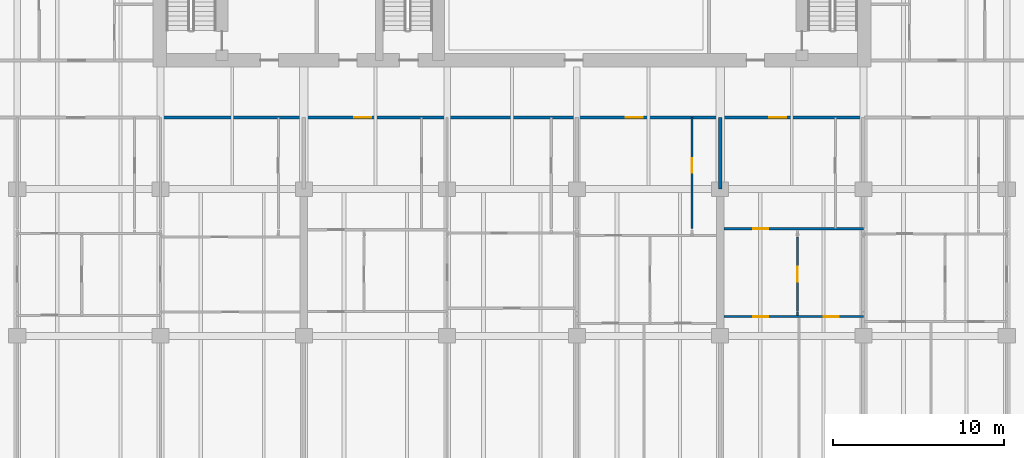
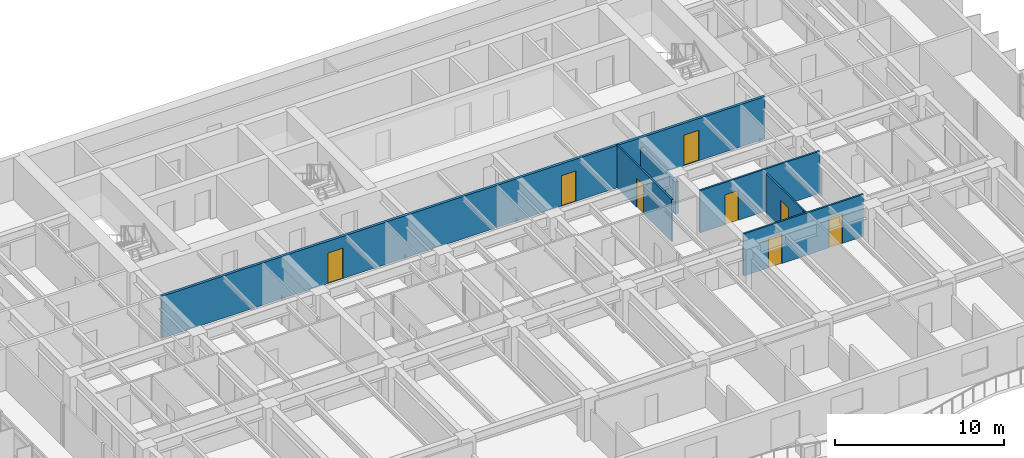
# One storey, part 10 of 19: 8 doors, 7 walls, 8 openings.
"""IFC4 building model written with IfcOpenShell, lengths in metres."""

from ifc_helpers import new_model, si_unit, direction, frame, frame_2d, origin, place, context, subcontext, project, spatial, rectangle, extrude, material, layer, layer_set, type_object, element, fill, save


model = new_model("IFC4")

# Units and contexts
model_context = context("Model", 3, precision=1e-05, world=origin(), true_north=direction((0.0, 1.0)))
body_context = subcontext(model_context, "Body", "Model", "MODEL_VIEW")
ifc_project = project(units=[si_unit("LENGTHUNIT", "METRE"), si_unit("AREAUNIT", "SQUARE_METRE"), si_unit("VOLUMEUNIT", "CUBIC_METRE"), si_unit("PLANEANGLEUNIT", "RADIAN"), si_unit("MASSUNIT", "GRAM", prefix="KILO")], contexts=[model_context])

# Site, building, storey
site_placement = place(None, origin())
site = spatial("IfcSite", under=ifc_project, at=site_placement, CompositionType="ELEMENT")
building_placement = place(site_placement, origin())
building = spatial("IfcBuilding", under=site, at=building_placement, Name="Caelmar Bay Residences", CompositionType="ELEMENT")
storey_placement = place(building_placement, frame((0.0, 0.0, 112.5)))
storey = spatial("IfcBuildingStorey", under=building, at=storey_placement, Name="L30", CompositionType="ELEMENT", Elevation=112.5)

# Wall, openings, doors
ifc_material_1 = material(Name="Double-stud acoustic fire-rated gypsum partition 180 mm")
ifc_layer_1 = layer(ifc_material_1, 0.179931640625)
ifc_layer_set_1 = layer_set([ifc_layer_1], Name="Double-stud acoustic fire-rated gypsum partition 180 mm")
wall_type_1 = type_object("IfcWallType", Name="W-COR-200", PredefinedType="PARTITIONING", material=ifc_layer_set_1)
wall_1_placement = place(storey_placement, frame((18.300048828125, 33.60009765625, 0.0), z_axis=(0.0, 0.0, 1.0), x_axis=(1.0, 0.0, 0.0)))
wall_1 = element("IfcWall", 1, at=wall_1_placement, inside=storey, type_object=wall_type_1, Name="L30 Partition Wall H141", PredefinedType="PARTITIONING", context=body_context, shape_type="SweptSolid", body=[
    extrude(rectangle(XDim=41.199951171875, YDim=0.179931640625, at=frame_2d((20.60009765625, 0.0))), origin(), (0.0, 0.0, 1.0), 3.050048828125),
])
opening_1_placement = place(wall_1_placement, frame((11.35009765625, 0.0, 0.0)))
opening_1 = element("IfcOpeningElement", 2, at=opening_1_placement, cuts=wall_1, Name="Opening D-L30-130", PredefinedType="OPENING", context=body_context, shape_type="SweptSolid", body=[
    extrude(rectangle(XDim=1.0, YDim=2.199951171875, at=frame_2d((0.5, 1.10009765625))), frame((0.0, 0.099853515625, 0.0), z_axis=(0.0, -1.0, 0.0), x_axis=(1.0, 0.0, 0.0)), (0.0, 0.0, 1.0), 0.199951171875),
])
opening_2_placement = place(wall_1_placement, frame((27.27490234375, 0.0, 0.0)))
opening_2 = element("IfcOpeningElement", 3, at=opening_2_placement, cuts=wall_1, Name="Opening D-L30-140", PredefinedType="OPENING", context=body_context, shape_type="SweptSolid", body=[
    extrude(rectangle(XDim=1.0, YDim=2.199951171875, at=frame_2d((0.5, 1.10009765625))), frame((0.0, 0.099853515625, 0.0), z_axis=(0.0, -1.0, 0.0), x_axis=(1.0, 0.0, 0.0)), (0.0, 0.0, 1.0), 0.199951171875),
])
opening_3_placement = place(wall_1_placement, frame((35.675048828125, 0.0, 0.0)))
opening_3 = element("IfcOpeningElement", 4, at=opening_3_placement, cuts=wall_1, Name="Opening D-L30-147", PredefinedType="OPENING", context=body_context, shape_type="SweptSolid", body=[
    extrude(rectangle(XDim=1.0, YDim=2.199951171875, at=frame_2d((0.5, 1.10009765625))), frame((0.0, 0.099853515625, 0.0), z_axis=(0.0, -1.0, 0.0), x_axis=(1.0, 0.0, 0.0)), (0.0, 0.0, 1.0), 0.199951171875),
])
ifc_material_2 = material(Name="Fire-rated steel and walnut architectural door assembly", Category="steel")
ifc_layer_2 = layer(ifc_material_2, 0.050048828125)
ifc_layer_set_2 = layer_set([ifc_layer_2], Name="Fire-rated steel and walnut architectural door assembly")
door_type_1 = type_object("IfcDoorType", Name="D-UNIT-1000", OperationType="NOTDEFINED", PredefinedType="DOOR", material=ifc_layer_set_2)
door_1_placement = place(opening_1_placement, origin())
door_1 = element("IfcDoor", 5, at=door_1_placement, inside=storey, type_object=door_type_1, Name="L30 Residence 02 Apartment Hall Door", OperationType="SINGLE_SWING_RIGHT", OverallHeight=2.199951171875, OverallWidth=1.0, PredefinedType="DOOR", context=body_context, shape_type="SweptSolid", body=[
    extrude(rectangle(XDim=1.0, YDim=2.199951171875, at=frame_2d((0.5, 1.10009765625))), frame((0.0, 0.02490234375, 0.0), z_axis=(0.0, -1.0, 0.0), x_axis=(1.0, 0.0, 0.0)), (0.0, 0.0, 1.0), 0.050048828125),
])
fill(opening_1, door_1)
door_2_placement = place(opening_2_placement, origin())
door_2 = element("IfcDoor", 6, at=door_2_placement, inside=storey, type_object=door_type_1, Name="L30 Residence 03 Apartment Hall Door", OperationType="SINGLE_SWING_RIGHT", OverallHeight=2.199951171875, OverallWidth=1.0, PredefinedType="DOOR", context=body_context, shape_type="SweptSolid", body=[
    extrude(rectangle(XDim=1.0, YDim=2.199951171875, at=frame_2d((0.5, 1.10009765625))), frame((0.0, 0.02490234375, 0.0), z_axis=(0.0, -1.0, 0.0), x_axis=(1.0, 0.0, 0.0)), (0.0, 0.0, 1.0), 0.050048828125),
])
fill(opening_2, door_2)
door_3_placement = place(opening_3_placement, origin())
door_3 = element("IfcDoor", 7, at=door_3_placement, inside=storey, type_object=door_type_1, Name="L30 Residence 04 Apartment Hall Door", OperationType="SINGLE_SWING_LEFT", OverallHeight=2.199951171875, OverallWidth=1.0, PredefinedType="DOOR", context=body_context, shape_type="SweptSolid", body=[
    extrude(rectangle(XDim=1.0, YDim=2.199951171875, at=frame_2d((0.5, 1.10009765625))), frame((0.0, 0.02490234375, 0.0), z_axis=(0.0, -1.0, 0.0), x_axis=(1.0, 0.0, 0.0)), (0.0, 0.0, 1.0), 0.050048828125),
])
fill(opening_3, door_3)

# Wall, opening, door
ifc_material_3 = material(Name="Acoustic metal-stud gypsum partition 120 mm")
ifc_layer_3 = layer(ifc_material_3, 0.1201171875)
ifc_layer_set_3 = layer_set([ifc_layer_3], Name="Acoustic metal-stud gypsum partition 120 mm")
wall_type_2 = type_object("IfcWallType", Name="W-PRT-120", PredefinedType="PARTITIONING", material=ifc_layer_set_3)
wall_2_placement = place(storey_placement, frame((49.449951171875, 27.080078125, 0.0), z_axis=(0.0, 0.0, 1.0), x_axis=(0.0, 1.0, 0.0)))
wall_2 = element("IfcWall", 8, at=wall_2_placement, inside=storey, type_object=wall_type_2, Name="L30 Partition Wall V072", PredefinedType="PARTITIONING", context=body_context, shape_type="SweptSolid", body=[
    extrude(rectangle(XDim=6.52001953125, YDim=0.1201171875, at=frame_2d((3.260009765625, 0.0))), origin(), (0.0, 0.0, 1.0), 3.050048828125),
])
opening_4_placement = place(wall_2_placement, frame((3.284912109375, 0.0, 0.0)))
opening_4 = element("IfcOpeningElement", 9, at=opening_4_placement, cuts=wall_2, Name="Opening D-L30-141", PredefinedType="OPENING", context=body_context, shape_type="SweptSolid", body=[
    extrude(rectangle(XDim=0.85009765625, YDim=2.10009765625, at=frame_2d((0.425048828125, 1.050048828125))), frame((0.0, 0.070068359375, 0.0), z_axis=(0.0, -1.0, 0.0), x_axis=(1.0, 0.0, 0.0)), (0.0, 0.0, 1.0), 0.14013671875),
])
ifc_material_4 = material(Name="Solid walnut timber interior door leaf and frame", Category="wood")
ifc_layer_4 = layer(ifc_material_4, 0.050048828125)
ifc_layer_set_4 = layer_set([ifc_layer_4], Name="Solid walnut timber interior door leaf and frame")
door_type_2 = type_object("IfcDoorType", Name="D-BATH-850", OperationType="NOTDEFINED", PredefinedType="DOOR", material=ifc_layer_set_4)
door_4_placement = place(opening_4_placement, origin())
door_4 = element("IfcDoor", 10, at=door_4_placement, inside=storey, type_object=door_type_2, Name="L30 Residence 03 Bathroom Door", OperationType="SINGLE_SWING_LEFT", OverallHeight=2.10009765625, OverallWidth=0.85009765625, PredefinedType="DOOR", context=body_context, shape_type="SweptSolid", body=[
    extrude(rectangle(XDim=0.85009765625, YDim=2.10009765625, at=frame_2d((0.425048828125, 1.050048828125))), frame((0.0, 0.02490234375, 0.0), z_axis=(0.0, -1.0, 0.0), x_axis=(1.0, 0.0, 0.0)), (0.0, 0.0, 1.0), 0.050048828125),
])
fill(opening_4, door_4)

# Wall
wall_3_placement = place(storey_placement, frame((55.635986328125, 22.0, 0.0), z_axis=(0.0, 0.0, 1.0), x_axis=(0.0, 1.0, 0.0)))
element("IfcWall", 11, at=wall_3_placement, inside=storey, type_object=wall_type_2, Name="L30 Partition Wall V079", PredefinedType="PARTITIONING", context=body_context, shape_type="SweptSolid", body=[
    extrude(rectangle(XDim=0.199951171875, YDim=0.1201171875, at=frame_2d((0.10009765625, 0.0))), origin(), (0.0, 0.0, 1.0), 3.050048828125),
])

# Wall, opening, door
wall_4_placement = place(storey_placement, frame((55.635986328125, 22.219970703125, 0.0), z_axis=(0.0, 0.0, 1.0), x_axis=(0.0, 1.0, 0.0)))
wall_4 = element("IfcWall", 12, at=wall_4_placement, inside=storey, type_object=wall_type_2, Name="L30 Partition Wall V080", PredefinedType="PARTITIONING", context=body_context, shape_type="SweptSolid", body=[
    extrude(rectangle(XDim=4.380126953125, YDim=0.1201171875, at=frame_2d((2.18994140625, 0.0))), origin(), (0.0, 0.0, 1.0), 3.050048828125),
])
opening_5_placement = place(wall_4_placement, frame((1.739990234375, 0.0, 0.0)))
opening_5 = element("IfcOpeningElement", 13, at=opening_5_placement, cuts=wall_4, Name="Opening D-L30-150", PredefinedType="OPENING", context=body_context, shape_type="SweptSolid", body=[
    extrude(rectangle(XDim=0.89990234375, YDim=2.14990234375, at=frame_2d((0.449951171875, 1.074951171875))), frame((0.0, 0.070068359375, 0.0), z_axis=(0.0, -1.0, 0.0), x_axis=(1.0, 0.0, 0.0)), (0.0, 0.0, 1.0), 0.14013671875),
])
ifc_layer_5 = layer(ifc_material_4, 0.050048828125)
ifc_layer_set_5 = layer_set([ifc_layer_5], Name="Solid walnut timber interior door leaf and frame")
door_type_3 = type_object("IfcDoorType", Name="D-ROOM-900", OperationType="NOTDEFINED", PredefinedType="DOOR", material=ifc_layer_set_5)
door_5_placement = place(opening_5_placement, origin())
door_5 = element("IfcDoor", 14, at=door_5_placement, inside=storey, type_object=door_type_3, Name="L30 Residence 04 Private Meeting Room Door", OperationType="SINGLE_SWING_RIGHT", OverallHeight=2.14990234375, OverallWidth=0.89990234375, PredefinedType="DOOR", context=body_context, shape_type="SweptSolid", body=[
    extrude(rectangle(XDim=0.89990234375, YDim=2.14990234375, at=frame_2d((0.449951171875, 1.074951171875))), frame((0.0, 0.02490234375, 0.0), z_axis=(0.0, -1.0, 0.0), x_axis=(1.0, 0.0, 0.0)), (0.0, 0.0, 1.0), 0.050048828125),
])
fill(opening_5, door_5)

# Wall, openings, doors
wall_5_placement = place(storey_placement, frame((51.320068359375, 21.929931640625, 0.0), z_axis=(0.0, 0.0, 1.0), x_axis=(1.0, 0.0, 0.0)))
wall_5 = element("IfcWall", 15, at=wall_5_placement, inside=storey, type_object=wall_type_2, Name="L30 Partition Wall H127", PredefinedType="PARTITIONING", context=body_context, shape_type="SweptSolid", body=[
    extrude(rectangle(XDim=8.179931640625, YDim=0.1201171875, at=frame_2d((4.08984375, 0.0))), origin(), (0.0, 0.0, 1.0), 3.050048828125),
])
opening_6_placement = place(wall_5_placement, frame((1.7080078125, 0.0, 0.0)))
opening_6 = element("IfcOpeningElement", 16, at=opening_6_placement, cuts=wall_5, Name="Opening D-L30-151", PredefinedType="OPENING", context=body_context, shape_type="SweptSolid", body=[
    extrude(rectangle(XDim=0.89990234375, YDim=2.14990234375, at=frame_2d((0.449951171875, 1.074951171875))), frame((0.0, 0.070068359375, 0.0), z_axis=(0.0, -1.0, 0.0), x_axis=(1.0, 0.0, 0.0)), (0.0, 0.0, 1.0), 0.14013671875),
])
opening_7_placement = place(wall_5_placement, frame((5.840087890625, 0.0, 0.0)))
opening_7 = element("IfcOpeningElement", 17, at=opening_7_placement, cuts=wall_5, Name="Opening D-L30-152", PredefinedType="OPENING", context=body_context, shape_type="SweptSolid", body=[
    extrude(rectangle(XDim=0.89990234375, YDim=2.14990234375, at=frame_2d((0.449951171875, 1.074951171875))), frame((0.0, 0.070068359375, 0.0), z_axis=(0.0, -1.0, 0.0), x_axis=(1.0, 0.0, 0.0)), (0.0, 0.0, 1.0), 0.14013671875),
])
door_6_placement = place(opening_6_placement, origin())
door_6 = element("IfcDoor", 18, at=door_6_placement, inside=storey, type_object=door_type_3, Name="L30 Residence 04 Living Room Door", OperationType="SINGLE_SWING_LEFT", OverallHeight=2.14990234375, OverallWidth=0.89990234375, PredefinedType="DOOR", context=body_context, shape_type="SweptSolid", body=[
    extrude(rectangle(XDim=0.89990234375, YDim=2.14990234375, at=frame_2d((0.449951171875, 1.074951171875))), frame((0.0, 0.02490234375, 0.0), z_axis=(0.0, -1.0, 0.0), x_axis=(1.0, 0.0, 0.0)), (0.0, 0.0, 1.0), 0.050048828125),
])
fill(opening_6, door_6)
door_7_placement = place(opening_7_placement, origin())
door_7 = element("IfcDoor", 19, at=door_7_placement, inside=storey, type_object=door_type_3, Name="L30 Residence 04 Penthouse Sitting Room Door", OperationType="SINGLE_SWING_RIGHT", OverallHeight=2.14990234375, OverallWidth=0.89990234375, PredefinedType="DOOR", context=body_context, shape_type="SweptSolid", body=[
    extrude(rectangle(XDim=0.89990234375, YDim=2.14990234375, at=frame_2d((0.449951171875, 1.074951171875))), frame((0.0, 0.02490234375, 0.0), z_axis=(0.0, -1.0, 0.0), x_axis=(1.0, 0.0, 0.0)), (0.0, 0.0, 1.0), 0.050048828125),
])
fill(opening_7, door_7)

# Wall, opening, door
wall_6_placement = place(storey_placement, frame((51.320068359375, 27.080078125, 0.0), z_axis=(0.0, 0.0, 1.0), x_axis=(1.0, 0.0, 0.0)))
wall_6 = element("IfcWall", 20, at=wall_6_placement, inside=storey, type_object=wall_type_2, Name="L30 Partition Wall H138", PredefinedType="PARTITIONING", context=body_context, shape_type="SweptSolid", body=[
    extrude(rectangle(XDim=8.179931640625, YDim=0.1201171875, at=frame_2d((4.08984375, 0.0))), origin(), (0.0, 0.0, 1.0), 3.050048828125),
])
opening_8_placement = place(wall_6_placement, frame((1.7080078125, 0.0, 0.0)))
opening_8 = element("IfcOpeningElement", 21, at=opening_8_placement, cuts=wall_6, Name="Opening D-L30-149", PredefinedType="OPENING", context=body_context, shape_type="SweptSolid", body=[
    extrude(rectangle(XDim=0.89990234375, YDim=2.14990234375, at=frame_2d((0.449951171875, 1.074951171875))), frame((0.0, 0.070068359375, 0.0), z_axis=(0.0, -1.0, 0.0), x_axis=(1.0, 0.0, 0.0)), (0.0, 0.0, 1.0), 0.14013671875),
])
door_8_placement = place(opening_8_placement, origin())
door_8 = element("IfcDoor", 22, at=door_8_placement, inside=storey, type_object=door_type_3, Name="L30 Residence 04 Kitchen Door", OperationType="SINGLE_SWING_LEFT", OverallHeight=2.14990234375, OverallWidth=0.89990234375, PredefinedType="DOOR", context=body_context, shape_type="SweptSolid", body=[
    extrude(rectangle(XDim=0.89990234375, YDim=2.14990234375, at=frame_2d((0.449951171875, 1.074951171875))), frame((0.0, 0.02490234375, 0.0), z_axis=(0.0, -1.0, 0.0), x_axis=(1.0, 0.0, 0.0)), (0.0, 0.0, 1.0), 0.050048828125),
])
fill(opening_8, door_8)

# Wall
ifc_material_5 = material(Name="Acoustic twin-stud fire-rated inter-tenancy partition 200 mm")
ifc_layer_6 = layer(ifc_material_5, 0.199951171875)
ifc_layer_set_6 = layer_set([ifc_layer_6], Name="Acoustic twin-stud fire-rated inter-tenancy partition 200 mm")
wall_type_3 = type_object("IfcWallType", Name="W-PTY-200", PredefinedType="PARTITIONING", material=ifc_layer_set_6)
wall_7_placement = place(storey_placement, frame((51.10009765625, 29.405029296875, 0.0), z_axis=(0.0, 0.0, 1.0), x_axis=(0.0, 1.0, 0.0)))
element("IfcWall", 23, at=wall_7_placement, inside=storey, type_object=wall_type_3, Name="L30 Partition Wall V077", PredefinedType="PARTITIONING", context=body_context, shape_type="SweptSolid", body=[
    extrude(rectangle(XDim=4.195068359375, YDim=0.199951171875, at=frame_2d((2.09765625, 0.0))), origin(), (0.0, 0.0, 1.0), 2.3349609375),
])

save(model, "model.ifc")
